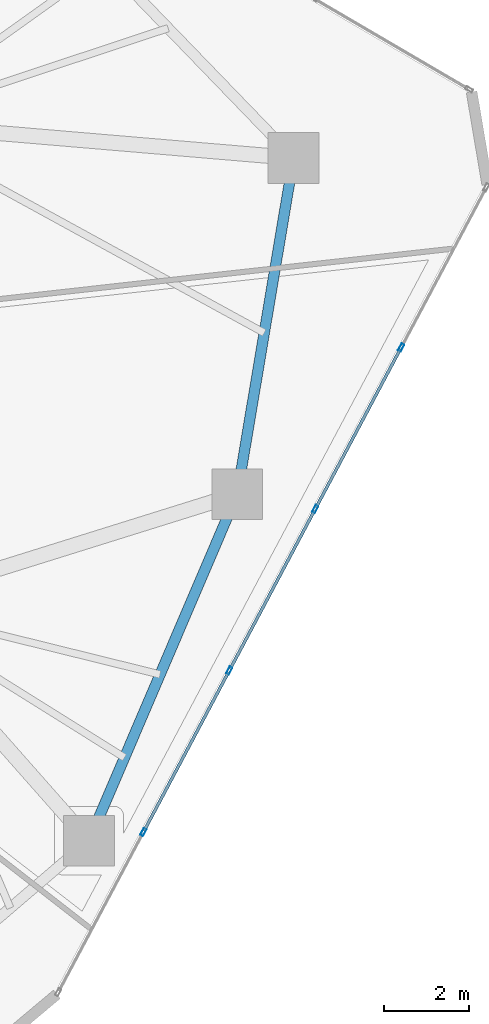
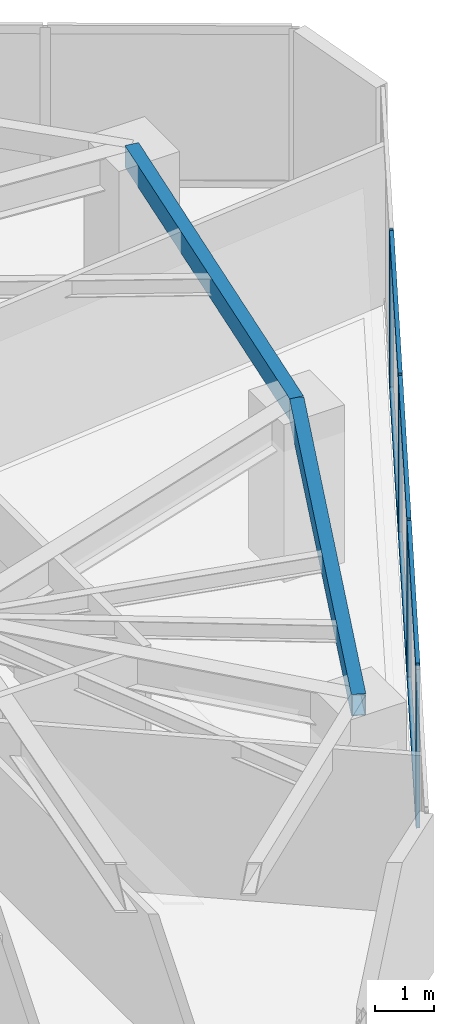
# One storey, part 10 of 21: 10 members, 2 beams, 1 element without a shape of its own.
"""IFC4 building model written with IfcOpenShell, lengths in metres."""

from ifc_helpers import new_model, si_unit, direction, frame, origin, origin_2d, place, context, subcontext, project, spatial, hollow_rectangle, extrude, source, transform, mapped, material, layer, layer_set, material_profile, profile_set, type_object, type_shapes, element, aggregate, save


model = new_model("IFC4")

# Units and contexts
model_context = context("Model", 3, precision=1e-05, world=origin(), true_north=direction((0.0, 1.0)))
body_context = subcontext(model_context, "Body", "Model", "MODEL_VIEW")
ifc_project = project(units=[si_unit("LENGTHUNIT", "METRE"), si_unit("AREAUNIT", "SQUARE_METRE"), si_unit("VOLUMEUNIT", "CUBIC_METRE"), si_unit("PLANEANGLEUNIT", "RADIAN"), si_unit("MASSUNIT", "GRAM", prefix="KILO")], contexts=[model_context])

# Site, building, storey
site_placement = place(None, origin())
site = spatial("IfcSite", under=ifc_project, at=site_placement, CompositionType="ELEMENT")
building_placement = place(site_placement, origin())
building = spatial("IfcBuilding", under=site, at=building_placement, Name="Talar Marvaseh", CompositionType="ELEMENT")
storey_placement = place(building_placement, frame((0.0, 0.0, 143.39990234375)))
storey = spatial("IfcBuildingStorey", under=building, at=storey_placement, Name="L37", CompositionType="ELEMENT", Elevation=143.39990234375)

# Beams
ifc_material_1 = material(Name="Steel S355", Category="steel")
ifc_material_profile_1 = material_profile(ifc_material_1, hollow_rectangle(XDim=0.25, YDim=0.449951171875, WallThickness=0.01611328125, at=origin_2d()), Name="RHS450x250x16")
ifc_profile_set_1 = profile_set([ifc_material_profile_1], Name="Steel S355")
beam_type = type_object("IfcBeamType", Name="Zone 2 Perimeter Spandrel Beam RHS450x250x16", PredefinedType="SPANDREL", material=ifc_profile_set_1)
beam_1_placement = place(storey_placement, frame((43.0439453125, 36.075927734375, 3.085205078125), z_axis=(-0.165641685249, -0.986186002795, 0.0), x_axis=(0.986186002795, -0.165641685249, 0.0)))
element("IfcBeam", 1, at=beam_1_placement, inside=storey, type_object=beam_type, Name="L37 Zone 2 Perimeter Spandrel Beam RHS450x250x16", PredefinedType="SPANDREL", context=body_context, shape_type="SweptSolid", body=[
    extrude(hollow_rectangle(XDim=0.25, YDim=0.449951171875, WallThickness=0.01611328125, at=origin_2d()), origin(), (0.0, 0.0, 1.0), 8.059326171875),
])
beam_2_placement = place(storey_placement, frame((41.708984375, 28.1279296875, 3.085205078125), z_axis=(-0.393369955619, -0.919380268451, 0.0), x_axis=(0.919380268451, -0.393369955619, 0.0)))
element("IfcBeam", 2, at=beam_2_placement, inside=storey, type_object=beam_type, Name="L37 Zone 2 Perimeter Spandrel Beam RHS450x250x16", PredefinedType="SPANDREL", context=body_context, shape_type="SweptSolid", body=[
    extrude(hollow_rectangle(XDim=0.25, YDim=0.449951171875, WallThickness=0.01611328125, at=origin_2d()), origin(), (0.0, 0.0, 1.0), 8.905029296875),
])

# Curtain wall, members
ifc_material_2 = material(Name="Architectural Aluminium", Category="aluminium")
ifc_layer = layer(ifc_material_2, 0.199951171875)
ifc_layer_set = layer_set([ifc_layer], Name="Architectural Aluminium")
curtain_wall_type = type_object("IfcCurtainWallType", Name="Unitised Acoustic Library Curtain Wall Z2", PredefinedType="NOTDEFINED", material=ifc_layer_set)
curtain_wall_placement = place(storey_placement, origin())
curtain_wall = element("IfcCurtainWall", 3, at=curtain_wall_placement, inside=storey, type_object=curtain_wall_type, Name="L37 Unitised Acoustic Library Curtain Wall Z2", PredefinedType="NOTDEFINED")
ifc_material_profile_2 = material_profile(ifc_material_2, hollow_rectangle(XDim=0.074951171875, YDim=0.179931640625, WallThickness=0.0048828125, at=origin_2d()), Name="RHS180x75x5")
ifc_profile_set_2 = profile_set([ifc_material_profile_2], Name="Architectural Aluminium")
member_type_1 = type_object("IfcMemberType", Name="Unitised Curtain Wall Standard Mullion RHS180x75x5", PredefinedType="MULLION", material=ifc_profile_set_2)
shared_shape_1 = source(origin(), body_context, "Body", "SweptSolid", [
    extrude(hollow_rectangle(XDim=0.074951171875, YDim=0.179931640625, WallThickness=0.0048828125, at=origin_2d()), origin(), (0.0, 0.0, 1.0), 3.31005859375),
])
type_shapes(member_type_1, [shared_shape_1])
member_1_placement = place(storey_placement, frame((45.58447265625, 31.596923828125, 0.0), z_axis=(0.0, 0.0, 1.0), x_axis=(0.882873695005, -0.469610518056, 0.0)))
member_1 = element("IfcMember", 4, at=member_1_placement, type_object=member_type_1, Name="CW-Z2 mullion 2", PredefinedType="MULLION", context=body_context, shape_type="MappedRepresentation", body=[
    mapped(shared_shape_1, transform((0.0, 0.0, 0.0), x_axis=(1.0, 0.0, 0.0), y_axis=(0.0, 1.0, 0.0), z_axis=(0.0, 0.0, 1.0), scale=1.0)),
])
member_2_placement = place(storey_placement, frame((43.553955078125, 27.77978515625, 0.0), z_axis=(0.0, 0.0, 1.0), x_axis=(0.882873695005, -0.469610518056, 0.0)))
member_2 = element("IfcMember", 5, at=member_2_placement, type_object=member_type_1, Name="CW-Z2 mullion 3", PredefinedType="MULLION", context=body_context, shape_type="MappedRepresentation", body=[
    mapped(shared_shape_1, transform((0.0, 0.0, 0.0), x_axis=(1.0, 0.0, 0.0), y_axis=(0.0, 1.0, 0.0), z_axis=(0.0, 0.0, 1.0), scale=1.0)),
])
member_3_placement = place(storey_placement, frame((41.523681640625, 23.962646484375, 0.0), z_axis=(0.0, 0.0, 1.0), x_axis=(0.882873695005, -0.469610518056, 0.0)))
member_3 = element("IfcMember", 6, at=member_3_placement, type_object=member_type_1, Name="CW-Z2 mullion 4", PredefinedType="MULLION", context=body_context, shape_type="MappedRepresentation", body=[
    mapped(shared_shape_1, transform((0.0, 0.0, 0.0), x_axis=(1.0, 0.0, 0.0), y_axis=(0.0, 1.0, 0.0), z_axis=(0.0, 0.0, 1.0), scale=1.0)),
])
member_4_placement = place(storey_placement, frame((39.4931640625, 20.1455078125, 0.0), z_axis=(0.0, 0.0, 1.0), x_axis=(0.882873695005, -0.469610518056, 0.0)))
member_4 = element("IfcMember", 7, at=member_4_placement, type_object=member_type_1, Name="CW-Z2 mullion 5", PredefinedType="MULLION", context=body_context, shape_type="MappedRepresentation", body=[
    mapped(shared_shape_1, transform((0.0, 0.0, 0.0), x_axis=(1.0, 0.0, 0.0), y_axis=(0.0, 1.0, 0.0), z_axis=(0.0, 0.0, 1.0), scale=1.0)),
])
ifc_material_profile_3 = material_profile(ifc_material_2, hollow_rectangle(XDim=0.074951171875, YDim=0.179931640625, WallThickness=0.0048828125, at=origin_2d()), Name="RHS180x75x5")
ifc_profile_set_3 = profile_set([ifc_material_profile_3], Name="Architectural Aluminium")
member_type_2 = type_object("IfcMemberType", Name="Unitised Curtain Wall Transom RHS180x75x5", PredefinedType="USERDEFINED", material=ifc_profile_set_3)
shared_shape_2 = source(origin(), body_context, "Body", "SweptSolid", [
    extrude(hollow_rectangle(XDim=0.074951171875, YDim=0.179931640625, WallThickness=0.0048828125, at=origin_2d()), origin(), (0.0, 0.0, 1.0), 4.24853515625),
])
member_5_placement = place(storey_placement, frame((43.536376953125, 27.74658203125, 0.03759765625), z_axis=(-0.469597724812, -0.882880499757, 0.0), x_axis=(0.882880499757, -0.469597724812, 0.0)))
member_5 = element("IfcMember", 8, at=member_5_placement, type_object=member_type_2, Name="CW-Z2 transom 3.1", ObjectType="TRANSOM", PredefinedType="USERDEFINED", context=body_context, shape_type="MappedRepresentation", body=[
    mapped(shared_shape_2, transform((0.0, 0.0, 0.0), x_axis=(1.0, 0.0, 0.0), y_axis=(0.0, 1.0, 0.0), z_axis=(0.0, 0.0, 1.0), scale=1.0)),
])
member_6_placement = place(storey_placement, frame((43.536376953125, 27.74658203125, 3.272705078125), z_axis=(-0.469597724812, -0.882880499757, 0.0), x_axis=(0.882880499757, -0.469597724812, 0.0)))
member_6 = element("IfcMember", 9, at=member_6_placement, type_object=member_type_2, Name="CW-Z2 transom 3.2", ObjectType="TRANSOM", PredefinedType="USERDEFINED", context=body_context, shape_type="MappedRepresentation", body=[
    mapped(shared_shape_2, transform((0.0, 0.0, 0.0), x_axis=(1.0, 0.0, 0.0), y_axis=(0.0, 1.0, 0.0), z_axis=(0.0, 0.0, 1.0), scale=1.0)),
])
member_7_placement = place(storey_placement, frame((41.506103515625, 23.929443359375, 0.03759765625), z_axis=(-0.469597724812, -0.882880499757, 0.0), x_axis=(0.882880499757, -0.469597724812, 0.0)))
member_7 = element("IfcMember", 10, at=member_7_placement, type_object=member_type_2, Name="CW-Z2 transom 4.1", ObjectType="TRANSOM", PredefinedType="USERDEFINED", context=body_context, shape_type="MappedRepresentation", body=[
    mapped(shared_shape_2, transform((0.0, 0.0, 0.0), x_axis=(1.0, 0.0, 0.0), y_axis=(0.0, 1.0, 0.0), z_axis=(0.0, 0.0, 1.0), scale=1.0)),
])
member_8_placement = place(storey_placement, frame((41.506103515625, 23.929443359375, 3.272705078125), z_axis=(-0.469597724812, -0.882880499757, 0.0), x_axis=(0.882880499757, -0.469597724812, 0.0)))
member_8 = element("IfcMember", 11, at=member_8_placement, type_object=member_type_2, Name="CW-Z2 transom 4.2", ObjectType="TRANSOM", PredefinedType="USERDEFINED", context=body_context, shape_type="MappedRepresentation", body=[
    mapped(shared_shape_2, transform((0.0, 0.0, 0.0), x_axis=(1.0, 0.0, 0.0), y_axis=(0.0, 1.0, 0.0), z_axis=(0.0, 0.0, 1.0), scale=1.0)),
])
shared_shape_3 = source(origin(), body_context, "Body", "SweptSolid", [
    extrude(hollow_rectangle(XDim=0.074951171875, YDim=0.179931640625, WallThickness=0.0048828125, at=origin_2d()), origin(), (0.0, 0.0, 1.0), 4.248779296875),
])
type_shapes(member_type_2, [shared_shape_2, shared_shape_3])
member_9_placement = place(storey_placement, frame((45.56689453125, 31.563720703125, 0.03759765625), z_axis=(-0.469642515104, -0.882856674668, 0.0), x_axis=(0.882856674668, -0.469642515104, 0.0)))
member_9 = element("IfcMember", 12, at=member_9_placement, type_object=member_type_2, Name="CW-Z2 transom 2.1", ObjectType="TRANSOM", PredefinedType="USERDEFINED", context=body_context, shape_type="MappedRepresentation", body=[
    mapped(shared_shape_3, transform((0.0, 0.0, 0.0), x_axis=(1.0, 0.0, 0.0), y_axis=(0.0, 1.0, 0.0), z_axis=(0.0, 0.0, 1.0), scale=1.0)),
])
member_10_placement = place(storey_placement, frame((45.56689453125, 31.563720703125, 3.272705078125), z_axis=(-0.469642515104, -0.882856674668, 0.0), x_axis=(0.882856674668, -0.469642515104, 0.0)))
member_10 = element("IfcMember", 13, at=member_10_placement, type_object=member_type_2, Name="CW-Z2 transom 2.2", ObjectType="TRANSOM", PredefinedType="USERDEFINED", context=body_context, shape_type="MappedRepresentation", body=[
    mapped(shared_shape_3, transform((0.0, 0.0, 0.0), x_axis=(1.0, 0.0, 0.0), y_axis=(0.0, 1.0, 0.0), z_axis=(0.0, 0.0, 1.0), scale=1.0)),
])
aggregate(curtain_wall, [member_1, member_2, member_3, member_4, member_9, member_10, member_5, member_6, member_7, member_8])

save(model, "model.ifc")
